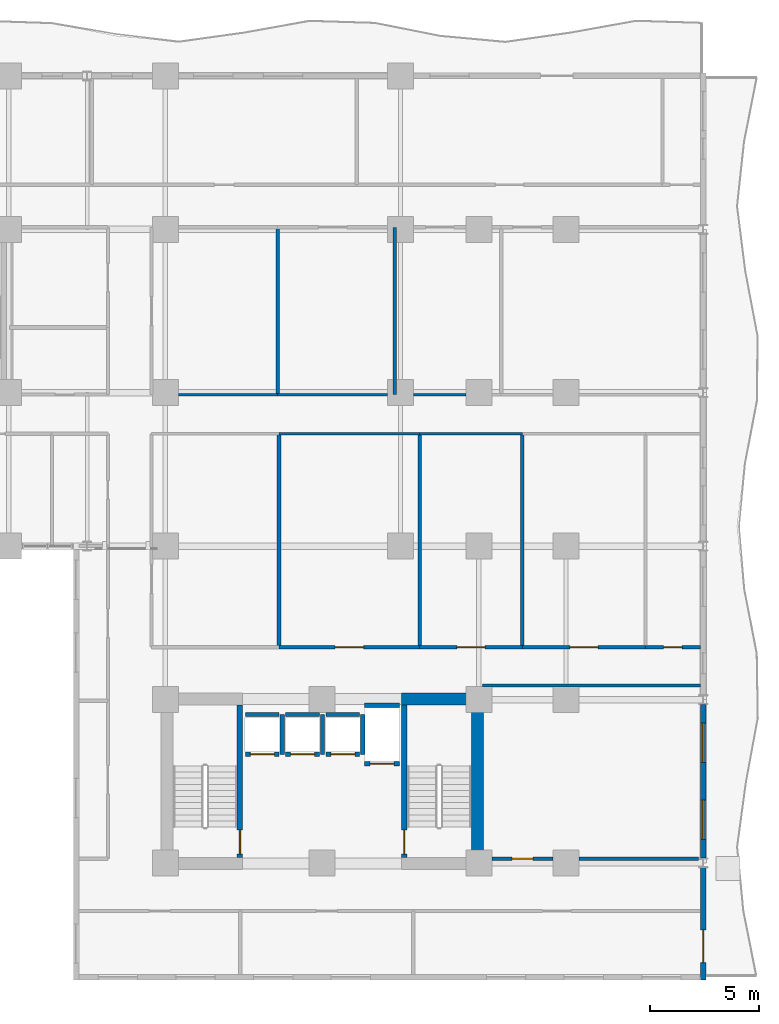
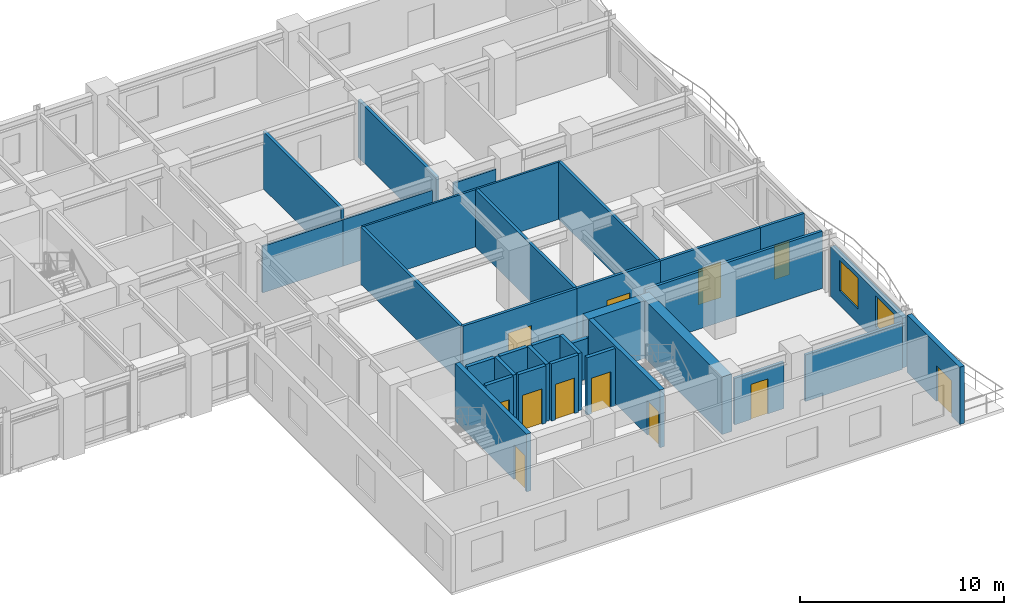
# One storey, part 10 of 16: 34 walls, 12 doors, 2 windows, 14 openings.
"""IFC4 building model written with IfcOpenShell, lengths in metres."""

import ifcopenshell
import ifcopenshell.guid

model = None  # the IFC model being written
_history = None  # IfcOwnerHistory: only IFC2X3 demands one
_inside = {}  # id of a spatial element -> (the spatial element, [elements in it])
_under = {}  # id of a project, library or spatial element -> (it, [spatial elements below it])
_declared = {}  # id of a project -> (the project, [libraries it declares])
_typed = {}  # id of a type object -> (the type object, [elements of that type])
_made_of = {}  # id of a material, layer set ... -> (it, [elements and type objects made of it])


def new_model(schema):
    """Start an empty IFC model of exactly this schema.

    Asked for "IFC4X3", IfcOpenShell would pick the latest addendum, in which some entities
    have other attributes; the version numbers below select the first issue.
    IFC2X3 requires an IfcOwnerHistory on every rooted entity: one is made here for all.
    """
    global model, _history
    if schema == "IFC4X3":
        model = ifcopenshell.file(schema_version=(4, 3, 0, 0))
    else:
        model = ifcopenshell.file(schema=schema)
    _inside.clear()
    _under.clear()
    _declared.clear()
    _typed.clear()
    _made_of.clear()
    _history = None
    if model.schema == "IFC2X3":
        org = make("IfcOrganization", Name="unknown")
        user = make(
            "IfcPersonAndOrganization",
            ThePerson=make("IfcPerson", FamilyName="unknown"),
            TheOrganization=org,
        )
        app = make(
            "IfcApplication",
            ApplicationDeveloper=org,
            Version="unknown",
            ApplicationFullName="unknown",
            ApplicationIdentifier="unknown",
        )
        _history = make(
            "IfcOwnerHistory",
            OwningUser=user,
            OwningApplication=app,
            ChangeAction="ADDED",
            CreationDate=0,
        )
    return model


def make(cls, **values):
    """One entity of the class cls with the attributes given. An attribute that is None is left unset."""
    return model.create_entity(
        cls, **{name: value for name, value in values.items() if value is not None}
    )


def rooted(cls, **values):
    """An entity with a GlobalId (a new one), such as an element, a storey or a relation."""
    return make(cls, GlobalId=ifcopenshell.guid.new(), OwnerHistory=_history, **values)


def si_unit(unit_type, name, prefix=None):
    """IfcSIUnit, for example si_unit("LENGTHUNIT", "METRE", prefix="MILLI")."""
    return make("IfcSIUnit", UnitType=unit_type, Prefix=prefix, Name=name)


def assignment(units):
    """IfcUnitAssignment: the units of a project."""
    return None if units is None else make("IfcUnitAssignment", Units=units)


def point(xyz):
    """IfcCartesianPoint."""
    return None if xyz is None else make("IfcCartesianPoint", Coordinates=xyz)


def direction(xyz):
    """IfcDirection."""
    return None if xyz is None else make("IfcDirection", DirectionRatios=xyz)


def frame(location, z_axis=None, x_axis=None):
    """IfcAxis2Placement3D, a coordinate frame: its origin and axes. An axis left out is left unset."""
    return make(
        "IfcAxis2Placement3D",
        Location=point(location),
        Axis=direction(z_axis),
        RefDirection=direction(x_axis),
    )


def frame_2d(location, x_axis=None):
    """IfcAxis2Placement2D, a coordinate frame in the plane: its origin and x axis."""
    return make(
        "IfcAxis2Placement2D", Location=point(location), RefDirection=direction(x_axis)
    )


def origin():
    """The frame at (0, 0, 0) with its axes left unset."""
    return frame((0.0, 0.0, 0.0))


def place(relative_to, where):
    """IfcLocalPlacement: puts the frame where relative to a parent placement (None: the world)."""
    return make(
        "IfcLocalPlacement", PlacementRelTo=relative_to, RelativePlacement=where
    )


def context(
    kind, dimensions, precision=None, world=None, true_north=None, identifier=None
):
    """IfcGeometricRepresentationContext, for example the 3D "Model" context."""
    return make(
        "IfcGeometricRepresentationContext",
        ContextIdentifier=identifier,
        ContextType=kind,
        CoordinateSpaceDimension=dimensions,
        Precision=precision,
        WorldCoordinateSystem=world,
        TrueNorth=true_north,
    )


def subcontext(parent, identifier, kind, view, scale=None):
    """IfcGeometricRepresentationSubContext, for example "Body" below "Model"."""
    return make(
        "IfcGeometricRepresentationSubContext",
        ContextIdentifier=identifier,
        ContextType=kind,
        ParentContext=parent,
        TargetScale=scale,
        TargetView=view,
    )


def project(units=None, contexts=None):
    """IfcProject with its units and contexts."""
    return rooted(
        "IfcProject",
        Name="project",
        RepresentationContexts=contexts,
        UnitsInContext=assignment(units),
    )


def spatial(cls, under=None, at=None, **own):
    """A site, building, storey or space (cls), placed at a placement, below another one or the project."""
    s = rooted(cls, ObjectPlacement=at, **own)
    if under is not None:
        _under.setdefault(under.id(), (under, []))[1].append(s)
    return s


def profile(cls, at=None, kind="AREA", **sizes):
    """A parametric profile (cls). Its sizes go by their IFC names, for example OverallWidth=200.0."""
    return make(cls, ProfileType=kind, Position=at, **sizes)


def rectangle(**sizes):
    """IfcRectangleProfileDef."""
    return profile("IfcRectangleProfileDef", **sizes)


def extrude(swept, where, along, depth):
    """IfcExtrudedAreaSolid: the profile swept, set in the frame where, extruded along a direction by depth."""
    return make(
        "IfcExtrudedAreaSolid",
        SweptArea=swept,
        Position=where,
        ExtrudedDirection=direction(along),
        Depth=depth,
    )


def shape(context_of_items, identifier, shape_type, items):
    """IfcShapeRepresentation: the items that make up one representation, for example the "Body"."""
    return make(
        "IfcShapeRepresentation",
        ContextOfItems=context_of_items,
        RepresentationIdentifier=identifier,
        RepresentationType=shape_type,
        Items=items,
    )


def material(Name=None, Category=None):
    """IfcMaterial."""
    return make("IfcMaterial", Name=Name, Category=Category)


def layer(
    of_material, thickness, ventilated=None, Name=None, Category=None, Priority=None
):
    """IfcMaterialLayer: one layer of a wall or slab, of a material (None: an air gap)."""
    return make(
        "IfcMaterialLayer",
        Material=of_material,
        LayerThickness=thickness,
        IsVentilated=ventilated,
        Name=Name,
        Category=Category,
        Priority=Priority,
    )


def layer_set(layers, Name=None):
    """IfcMaterialLayerSet."""
    return make("IfcMaterialLayerSet", MaterialLayers=layers, LayerSetName=Name)


def made_of(thing, what):
    """Note that an element or type object is made of a material, layer set ...; save() writes the relation."""
    if what is not None:
        _made_of.setdefault(what.id(), (what, []))[1].append(thing)
    return thing


def type_object(cls, material=None, **own):
    """A type object (cls), such as IfcWallType, which elements share."""
    return made_of(rooted(cls, **own), material)


def element(
    cls,
    number,
    at=None,
    inside=None,
    cuts=None,
    type_object=None,
    material=None,
    context=None,
    identifier="Body",
    shape_type=None,
    held_by="IfcProductDefinitionShape",
    body=None,
    shapes=None,
    **own,
):
    """One element of the class cls, such as IfcWall. Its Tag is "e" and its number.

    at: its placement. inside: the storey or other place that contains it. cuts: it is an
    opening in that element (IfcRelVoidsElement). A single representation is given by context,
    identifier, shape_type and body (its items); several are given by shapes. held_by: the class
    of the entity that holds the representations. save() writes the other relations.
    """
    e = rooted(cls, Tag="e%d" % number, ObjectPlacement=at, **own)
    if body is not None:
        shapes = [shape(context, identifier, shape_type, body)]
    if shapes is not None:
        e.Representation = make(held_by, Representations=shapes)
    if inside is not None:
        _inside.setdefault(inside.id(), (inside, []))[1].append(e)
    if cuts is not None:
        rooted(
            "IfcRelVoidsElement", RelatingBuildingElement=cuts, RelatedOpeningElement=e
        )
    if type_object is not None:
        _typed.setdefault(type_object.id(), (type_object, []))[1].append(e)
    return made_of(e, material)


def fill(opening, filler):
    """IfcRelFillsElement: the door or window that sits in an opening."""
    return rooted(
        "IfcRelFillsElement",
        RelatingOpeningElement=opening,
        RelatedBuildingElement=filler,
    )


def aggregate(whole, parts):
    """IfcRelAggregates: a whole, such as a stair, and the parts it consists of."""
    return rooted("IfcRelAggregates", RelatingObject=whole, RelatedObjects=parts)


def save(model, path):
    """Write the relations noted so far, then the file.

    IfcRelAggregates (storeys below a building ...), IfcRelContainedInSpatialStructure (elements
    in a storey), IfcRelDefinesByType, IfcRelAssociatesMaterial and IfcRelDeclares: one each for
    every whole, place, type object, material and project.
    """
    for whole, parts in _under.values():
        aggregate(whole, parts)
    for where, things in _inside.values():
        rooted(
            "IfcRelContainedInSpatialStructure",
            RelatedElements=things,
            RelatingStructure=where,
        )
    for kind, things in _typed.values():
        rooted("IfcRelDefinesByType", RelatedObjects=things, RelatingType=kind)
    for what, things in _made_of.values():
        rooted("IfcRelAssociatesMaterial", RelatedObjects=things, RelatingMaterial=what)
    for by, libraries in _declared.values():
        rooted("IfcRelDeclares", RelatingContext=by, RelatedDefinitions=libraries)
    model.write(path)


model = new_model("IFC4")

# Units and contexts
model_context = context("Model", 3, precision=1e-05, world=origin(), true_north=direction((0.0, 1.0)))
body_context = subcontext(model_context, "Body", "Model", "MODEL_VIEW")
ifc_project = project(units=[si_unit("LENGTHUNIT", "METRE"), si_unit("AREAUNIT", "SQUARE_METRE"), si_unit("VOLUMEUNIT", "CUBIC_METRE"), si_unit("PLANEANGLEUNIT", "RADIAN"), si_unit("MASSUNIT", "GRAM", prefix="KILO")], contexts=[model_context])

# Site, building, storey
site_placement = place(None, origin())
site = spatial("IfcSite", under=ifc_project, at=site_placement, CompositionType="ELEMENT")
building_placement = place(site_placement, origin())
building = spatial("IfcBuilding", under=site, at=building_placement, Name="Kaliganga Portal Commons", CompositionType="ELEMENT")
storey_placement = place(building_placement, frame((0.0, 0.0, 97.10009765625)))
storey = spatial("IfcBuildingStorey", under=building, at=storey_placement, Name="L24", CompositionType="ELEMENT", Elevation=97.10009765625)

# Walls
ifc_material_1 = material(Name="Concrete C60/75", Category="concrete")
ifc_layer_1 = layer(ifc_material_1, 0.550048828125)
ifc_layer_set_1 = layer_set([ifc_layer_1], Name="Concrete C60/75")
wall_type_1 = type_object("IfcWallType", Name="WL-CORE-550", PredefinedType="SHEAR", material=ifc_layer_set_1)
wall_1_placement = place(storey_placement, frame((50.324951171875, 6.75, 0.0), z_axis=(0.0, 0.0, 1.0), x_axis=(0.0, 1.0, 0.0)))
element("IfcWall", 1, at=wall_1_placement, inside=storey, type_object=wall_type_1, Name="Core B East Shear Wall L24", PredefinedType="SHEAR", context=body_context, shape_type="SweptSolid", body=[
    extrude(rectangle(XDim=8.10009765625, YDim=0.550048828125, at=frame_2d((4.050048828125, 0.0))), origin(), (0.0, 0.0, 1.0), 3.449951171875),
])
wall_2_placement = place(storey_placement, frame((46.85009765625, 14.574951171875, 0.0), z_axis=(0.0, 0.0, 1.0), x_axis=(1.0, 0.0, 0.0)))
element("IfcWall", 2, at=wall_2_placement, inside=storey, type_object=wall_type_1, Name="Core B N-East Shear Wall L24", PredefinedType="SHEAR", context=body_context, shape_type="SweptSolid", body=[
    extrude(rectangle(XDim=3.199951171875, YDim=0.550048828125, at=frame_2d((1.60009765625, 0.0))), origin(), (0.0, 0.0, 1.0), 3.449951171875),
])

# Wall, opening, door
ifc_material_2 = material(Name="Insulated Aluminium-Clad Spandrel Assembly", Category="aluminium")
ifc_layer_2 = layer(ifc_material_2, 0.260009765625)
ifc_layer_set_2 = layer_set([ifc_layer_2], Name="Insulated Aluminium-Clad Spandrel Assembly")
wall_type_2 = type_object("IfcWallType", Name="WL-EXT-SPAND-260", PredefinedType="STANDARD", material=ifc_layer_set_2)
wall_3_placement = place(storey_placement, frame((60.699951171875, 6.833984375, 0.0), z_axis=(0.0, 0.0, 1.0), x_axis=(0.0, -1.0, 0.0)))
wall_3 = element("IfcWall", 3, at=wall_3_placement, inside=storey, type_object=wall_type_2, Name="Exterior Envelope Wall L24 P1-E01-S1", PredefinedType="STANDARD", context=body_context, shape_type="SweptSolid", body=[
    extrude(rectangle(XDim=5.1640625, YDim=0.260009765625, at=frame_2d((2.58203125, 0.0))), origin(), (0.0, 0.0, 1.0), 3.429931640625),
])
opening_1_placement = place(wall_3_placement, frame((2.864990234375, 0.0, 0.0)))
opening_1 = element("IfcOpeningElement", 4, at=opening_1_placement, cuts=wall_3, Name="Opening BD-01", PredefinedType="OPENING", context=body_context, shape_type="SweptSolid", body=[
    extrude(rectangle(XDim=1.5, YDim=2.14990234375, at=frame_2d((0.75, 1.074951171875))), frame((0.0, 0.14013671875, 0.0), z_axis=(0.0, -1.0, 0.0), x_axis=(1.0, 0.0, 0.0)), (0.0, 0.0, 1.0), 0.280029296875),
])
ifc_material_3 = material(Name="Anodized Aluminium and Laminated Safety Glass", Category="aluminium")
door_type_1 = type_object("IfcDoorType", Name="DR-BALC-1500", OperationType="SLIDING_TO_LEFT", PredefinedType="DOOR", material=ifc_material_3)
door_1_placement = place(opening_1_placement, origin())
door_1 = element("IfcDoor", 5, at=door_1_placement, inside=storey, type_object=door_type_1, Name="Balcony Sliding Door L24 balc_east", OperationType="SLIDING_TO_LEFT", OverallHeight=2.14990234375, OverallWidth=1.5, PredefinedType="DOOR", context=body_context, shape_type="SweptSolid", body=[
    extrude(rectangle(XDim=1.5, YDim=2.14990234375, at=frame_2d((0.75, 1.074951171875))), frame((0.0, 0.02490234375, 0.0), z_axis=(0.0, -1.0, 0.0), x_axis=(1.0, 0.0, 0.0)), (0.0, 0.0, 1.0), 0.050048828125),
])
fill(opening_1, door_1)

# Wall, openings, windows
wall_4_placement = place(storey_placement, frame((60.699951171875, 14.333984375, 0.0), z_axis=(0.0, 0.0, 1.0), x_axis=(0.0, -1.0, 0.0)))
wall_4 = element("IfcWall", 6, at=wall_4_placement, inside=storey, type_object=wall_type_2, Name="Exterior Envelope Wall L24 P1-E01-S2", PredefinedType="STANDARD", context=body_context, shape_type="SweptSolid", body=[
    extrude(rectangle(XDim=7.06787109375, YDim=0.260009765625, at=frame_2d((3.533935546875, 0.0))), origin(), (0.0, 0.0, 1.0), 2.97998046875),
])
opening_2_placement = place(wall_4_placement, frame((0.866943359375, 0.0, 0.85009765625)))
opening_2 = element("IfcOpeningElement", 7, at=opening_2_placement, cuts=wall_4, Name="Opening W-01", PredefinedType="OPENING", context=body_context, shape_type="SweptSolid", body=[
    extrude(rectangle(XDim=1.800048828125, YDim=1.85009765625, at=frame_2d((0.89990234375, 0.925048828125))), frame((0.0, 0.14013671875, 0.0), z_axis=(0.0, -1.0, 0.0), x_axis=(1.0, 0.0, 0.0)), (0.0, 0.0, 1.0), 0.280029296875),
])
opening_3_placement = place(wall_4_placement, frame((4.40087890625, 0.0, 0.85009765625)))
opening_3 = element("IfcOpeningElement", 8, at=opening_3_placement, cuts=wall_4, Name="Opening W-01", PredefinedType="OPENING", context=body_context, shape_type="SweptSolid", body=[
    extrude(rectangle(XDim=1.800048828125, YDim=1.85009765625, at=frame_2d((0.89990234375, 0.925048828125))), frame((0.0, 0.14013671875, 0.0), z_axis=(0.0, -1.0, 0.0), x_axis=(1.0, 0.0, 0.0)), (0.0, 0.0, 1.0), 0.280029296875),
])
ifc_material_4 = material(Name="Thermally Broken Aluminium and Low-E Double Glazing", Category="aluminium")
window_type = type_object("IfcWindowType", Name="WIN-STD-1800", PartitioningType="DOUBLE_PANEL_VERTICAL", PredefinedType="WINDOW", material=ifc_material_4)
window_1_placement = place(opening_2_placement, origin())
window_1 = element("IfcWindow", 9, at=window_1_placement, inside=storey, type_object=window_type, Name="Facade Window L24-P1E01S2-00", OverallHeight=1.85009765625, OverallWidth=1.800048828125, PartitioningType="SINGLE_PANEL", PredefinedType="WINDOW", context=body_context, shape_type="SweptSolid", body=[
    extrude(rectangle(XDim=1.800048828125, YDim=1.85009765625, at=frame_2d((0.89990234375, 0.925048828125))), frame((0.0, 0.030029296875, 0.0), z_axis=(0.0, -1.0, 0.0), x_axis=(1.0, 0.0, 0.0)), (0.0, 0.0, 1.0), 0.06005859375),
])
fill(opening_2, window_1)
window_2_placement = place(opening_3_placement, origin())
window_2 = element("IfcWindow", 10, at=window_2_placement, inside=storey, type_object=window_type, Name="Facade Window L24-P1E01S2-01", OverallHeight=1.85009765625, OverallWidth=1.800048828125, PartitioningType="SINGLE_PANEL", PredefinedType="WINDOW", context=body_context, shape_type="SweptSolid", body=[
    extrude(rectangle(XDim=1.800048828125, YDim=1.85009765625, at=frame_2d((0.89990234375, 0.925048828125))), frame((0.0, 0.030029296875, 0.0), z_axis=(0.0, -1.0, 0.0), x_axis=(1.0, 0.0, 0.0)), (0.0, 0.0, 1.0), 0.06005859375),
])
fill(opening_3, window_2)

# Wall, opening, door
ifc_material_5 = material(Name="Fire-Rated Gypsum Board on Steel Stud", Category="steel")
ifc_layer_3 = layer(ifc_material_5, 0.14990234375)
ifc_layer_set_3 = layer_set([ifc_layer_3], Name="Fire-Rated Gypsum Board on Steel Stud")
wall_type_3 = type_object("IfcWallType", Name="WL-PART-CORR-150", PredefinedType="PARTITIONING", material=ifc_layer_set_3)
wall_5_placement = place(storey_placement, frame((51.0, 7.239990234375, 0.0), z_axis=(0.0, 0.0, 1.0), x_axis=(1.0, 0.0, 0.0)))
wall_5 = element("IfcWall", 11, at=wall_5_placement, inside=storey, type_object=wall_type_3, Name="Interior Partition L24-010", PredefinedType="PARTITIONING", context=body_context, shape_type="SweptSolid", body=[
    extrude(rectangle(XDim=2.800048828125, YDim=0.14990234375, at=frame_2d((1.39990234375, 0.0))), origin(), (0.0, 0.0, 1.0), 2.77978515625),
])
opening_4_placement = place(wall_5_placement, frame((0.925048828125, 0.0, 0.0)))
opening_4 = element("IfcOpeningElement", 12, at=opening_4_placement, cuts=wall_5, Name="Opening UD-01", PredefinedType="OPENING", context=body_context, shape_type="SweptSolid", body=[
    extrude(rectangle(XDim=0.949951171875, YDim=2.10009765625, at=frame_2d((0.47509765625, 1.050048828125))), frame((0.0, 0.0849609375, 0.0), z_axis=(0.0, -1.0, 0.0), x_axis=(1.0, 0.0, 0.0)), (0.0, 0.0, 1.0), 0.169921875),
])
ifc_material_6 = material(Name="Solid-Core Timber Acoustic Fire Door", Category="wood")
door_type_2 = type_object("IfcDoorType", Name="DR-UNIT-950", OperationType="NOTDEFINED", PredefinedType="DOOR", material=ifc_material_6)
door_2_placement = place(opening_4_placement, origin())
door_2 = element("IfcDoor", 13, at=door_2_placement, inside=storey, type_object=door_type_2, Name="Interior Door L24-BE01", OperationType="SINGLE_SWING_LEFT", OverallHeight=2.10009765625, OverallWidth=0.949951171875, PredefinedType="DOOR", context=body_context, shape_type="SweptSolid", body=[
    extrude(rectangle(XDim=0.949951171875, YDim=2.10009765625, at=frame_2d((0.47509765625, 1.050048828125))), frame((0.0, 0.02490234375, 0.0), z_axis=(0.0, -1.0, 0.0), x_axis=(1.0, 0.0, 0.0)), (0.0, 0.0, 1.0), 0.050048828125),
])
fill(opening_4, door_2)

# Walls
wall_6_placement = place(storey_placement, frame((55.0, 7.239990234375, 0.0), z_axis=(0.0, 0.0, 1.0), x_axis=(1.0, 0.0, 0.0)))
element("IfcWall", 14, at=wall_6_placement, inside=storey, type_object=wall_type_3, Name="Interior Partition L24-011", PredefinedType="PARTITIONING", context=body_context, shape_type="SweptSolid", body=[
    extrude(rectangle(XDim=5.49560546875, YDim=0.14990234375, at=frame_2d((2.747802734375, 0.0))), origin(), (0.0, 0.0, 1.0), 2.77978515625),
])
wall_7_placement = place(storey_placement, frame((50.56005859375, 15.199951171875, 0.0), z_axis=(0.0, 0.0, 1.0), x_axis=(1.0, 0.0, 0.0)))
element("IfcWall", 15, at=wall_7_placement, inside=storey, type_object=wall_type_3, Name="Interior Partition L24-012", PredefinedType="PARTITIONING", context=body_context, shape_type="SweptSolid", body=[
    extrude(rectangle(XDim=10.008056640625, YDim=0.14990234375, at=frame_2d((5.00390625, 0.0))), origin(), (0.0, 0.0, 1.0), 3.429931640625),
])

# Wall, opening, door
wall_8_placement = place(storey_placement, frame((41.219970703125, 16.9599609375, 0.0), z_axis=(0.0, 0.0, 1.0), x_axis=(1.0, 0.0, 0.0)))
wall_8 = element("IfcWall", 16, at=wall_8_placement, inside=storey, type_object=wall_type_3, Name="Interior Partition L24-024", PredefinedType="PARTITIONING", context=body_context, shape_type="SweptSolid", body=[
    extrude(rectangle(XDim=6.4599609375, YDim=0.14990234375, at=frame_2d((3.22998046875, 0.0))), origin(), (0.0, 0.0, 1.0), 3.429931640625),
])
opening_5_placement = place(wall_8_placement, frame((2.580078125, 0.0, 0.0)))
opening_5 = element("IfcOpeningElement", 17, at=opening_5_placement, cuts=wall_8, Name="Opening RD-03", PredefinedType="OPENING", context=body_context, shape_type="SweptSolid", body=[
    extrude(rectangle(XDim=1.300048828125, YDim=2.1201171875, at=frame_2d((0.64990234375, 1.06005859375))), frame((0.0, 0.0849609375, 0.0), z_axis=(0.0, -1.0, 0.0), x_axis=(1.0, 0.0, 0.0)), (0.0, 0.0, 1.0), 0.169921875),
])
ifc_material_7 = material(Name="Glazed Timber Seminar Vision Door", Category="wood")
door_type_3 = type_object("IfcDoorType", Name="DR-STUDY-1300", OperationType="DOUBLE_DOOR_SINGLE_SWING", PredefinedType="DOOR", material=ifc_material_7)
door_3_placement = place(opening_5_placement, origin())
door_3 = element("IfcDoor", 18, at=door_3_placement, inside=storey, type_object=door_type_3, Name="Interior Door L24-BM02", OperationType="DOUBLE_DOOR_SINGLE_SWING", OverallHeight=2.1201171875, OverallWidth=1.300048828125, PredefinedType="DOOR", context=body_context, shape_type="SweptSolid", body=[
    extrude(rectangle(XDim=1.300048828125, YDim=2.1201171875, at=frame_2d((0.64990234375, 1.06005859375))), frame((0.0, 0.02490234375, 0.0), z_axis=(0.0, -1.0, 0.0), x_axis=(1.0, 0.0, 0.0)), (0.0, 0.0, 1.0), 0.050048828125),
])
fill(opening_5, door_3)

wall_9_placement = place(storey_placement, frame((52.39990234375, 16.9599609375, 0.0), z_axis=(0.0, 0.0, 1.0), x_axis=(1.0, 0.0, 0.0)))
wall_9 = element("IfcWall", 19, at=wall_9_placement, inside=storey, type_object=wall_type_3, Name="Interior Partition L24-029", PredefinedType="PARTITIONING", context=body_context, shape_type="SweptSolid", body=[
    extrude(rectangle(XDim=5.66015625, YDim=0.14990234375, at=frame_2d((2.830078125, 0.0))), origin(), (0.0, 0.0, 1.0), 3.429931640625),
])
opening_6_placement = place(wall_9_placement, frame((2.179931640625, 0.0, 0.0)))
opening_6 = element("IfcOpeningElement", 20, at=opening_6_placement, cuts=wall_9, Name="Opening RD-03", PredefinedType="OPENING", context=body_context, shape_type="SweptSolid", body=[
    extrude(rectangle(XDim=1.300048828125, YDim=2.1201171875, at=frame_2d((0.64990234375, 1.06005859375))), frame((0.0, 0.0849609375, 0.0), z_axis=(0.0, -1.0, 0.0), x_axis=(1.0, 0.0, 0.0)), (0.0, 0.0, 1.0), 0.169921875),
])
door_4_placement = place(opening_6_placement, origin())
door_4 = element("IfcDoor", 21, at=door_4_placement, inside=storey, type_object=door_type_3, Name="Interior Door L24-BM03B", OperationType="DOUBLE_DOOR_SINGLE_SWING", OverallHeight=2.1201171875, OverallWidth=1.300048828125, PredefinedType="DOOR", context=body_context, shape_type="SweptSolid", body=[
    extrude(rectangle(XDim=1.300048828125, YDim=2.1201171875, at=frame_2d((0.64990234375, 1.06005859375))), frame((0.0, 0.02490234375, 0.0), z_axis=(0.0, -1.0, 0.0), x_axis=(1.0, 0.0, 0.0)), (0.0, 0.0, 1.0), 0.050048828125),
])
fill(opening_6, door_4)

wall_10_placement = place(storey_placement, frame((47.679931640625, 16.9599609375, 0.0), z_axis=(0.0, 0.0, 1.0), x_axis=(1.0, 0.0, 0.0)))
wall_10 = element("IfcWall", 22, at=wall_10_placement, inside=storey, type_object=wall_type_3, Name="Interior Partition L24-035", PredefinedType="PARTITIONING", context=body_context, shape_type="SweptSolid", body=[
    extrude(rectangle(XDim=4.719970703125, YDim=0.14990234375, at=frame_2d((2.35986328125, 0.0))), origin(), (0.0, 0.0, 1.0), 3.429931640625),
])
opening_7_placement = place(wall_10_placement, frame((1.7099609375, 0.0, 0.0)))
opening_7 = element("IfcOpeningElement", 23, at=opening_7_placement, cuts=wall_10, Name="Opening RD-03", PredefinedType="OPENING", context=body_context, shape_type="SweptSolid", body=[
    extrude(rectangle(XDim=1.300048828125, YDim=2.1201171875, at=frame_2d((0.64990234375, 1.06005859375))), frame((0.0, 0.0849609375, 0.0), z_axis=(0.0, -1.0, 0.0), x_axis=(1.0, 0.0, 0.0)), (0.0, 0.0, 1.0), 0.169921875),
])
door_5_placement = place(opening_7_placement, origin())
door_5 = element("IfcDoor", 24, at=door_5_placement, inside=storey, type_object=door_type_3, Name="Interior Door L24-BM03", OperationType="DOUBLE_DOOR_SINGLE_SWING", OverallHeight=2.1201171875, OverallWidth=1.300048828125, PredefinedType="DOOR", context=body_context, shape_type="SweptSolid", body=[
    extrude(rectangle(XDim=1.300048828125, YDim=2.1201171875, at=frame_2d((0.64990234375, 1.06005859375))), frame((0.0, 0.02490234375, 0.0), z_axis=(0.0, -1.0, 0.0), x_axis=(1.0, 0.0, 0.0)), (0.0, 0.0, 1.0), 0.050048828125),
])
fill(opening_7, door_5)

wall_11_placement = place(storey_placement, frame((58.06005859375, 16.9599609375, 0.0), z_axis=(0.0, 0.0, 1.0), x_axis=(1.0, 0.0, 0.0)))
wall_11 = element("IfcWall", 25, at=wall_11_placement, inside=storey, type_object=wall_type_3, Name="Interior Partition L24-042", PredefinedType="PARTITIONING", context=body_context, shape_type="SweptSolid", body=[
    extrude(rectangle(XDim=2.508056640625, YDim=0.14990234375, at=frame_2d((1.25390625, 0.0))), origin(), (0.0, 0.0, 1.0), 3.429931640625),
])
opening_8_placement = place(wall_11_placement, frame((0.8291015625, 0.0, 0.0)))
opening_8 = element("IfcOpeningElement", 26, at=opening_8_placement, cuts=wall_11, Name="Opening WD-01", PredefinedType="OPENING", context=body_context, shape_type="SweptSolid", body=[
    extrude(rectangle(XDim=0.85009765625, YDim=2.0400390625, at=frame_2d((0.425048828125, 1.02001953125))), frame((0.0, 0.0849609375, 0.0), z_axis=(0.0, -1.0, 0.0), x_axis=(1.0, 0.0, 0.0)), (0.0, 0.0, 1.0), 0.169921875),
])
ifc_material_8 = material(Name="Moisture-Resistant Laminate Timber Door", Category="wood")
door_type_4 = type_object("IfcDoorType", Name="DR-WET-850", OperationType="NOTDEFINED", PredefinedType="DOOR", material=ifc_material_8)
door_6_placement = place(opening_8_placement, origin())
door_6 = element("IfcDoor", 27, at=door_6_placement, inside=storey, type_object=door_type_4, Name="Interior Door L24-BM04", OperationType="SINGLE_SWING_RIGHT", OverallHeight=2.0400390625, OverallWidth=0.85009765625, PredefinedType="DOOR", context=body_context, shape_type="SweptSolid", body=[
    extrude(rectangle(XDim=0.85009765625, YDim=2.0400390625, at=frame_2d((0.425048828125, 1.02001953125))), frame((0.0, 0.02490234375, 0.0), z_axis=(0.0, -1.0, 0.0), x_axis=(1.0, 0.0, 0.0)), (0.0, 0.0, 1.0), 0.050048828125),
])
fill(opening_8, door_6)

# Walls
ifc_material_9 = material(Name="Moisture-Resistant Gypsum Partition", Category="gypsum")
ifc_layer_4 = layer(ifc_material_9, 0.114990234375)
ifc_layer_set_4 = layer_set([ifc_layer_4], Name="Moisture-Resistant Gypsum Partition")
wall_type_4 = type_object("IfcWallType", Name="WL-PART-ROOM-115", PredefinedType="PARTITIONING", material=ifc_layer_set_4)
wall_12_placement = place(storey_placement, frame((41.219970703125, 26.760009765625, 0.0), z_axis=(0.0, 0.0, 1.0), x_axis=(1.0, 0.0, 0.0)))
element("IfcWall", 28, at=wall_12_placement, inside=storey, type_object=wall_type_4, Name="Interior Partition L24-057", PredefinedType="PARTITIONING", context=body_context, shape_type="SweptSolid", body=[
    extrude(rectangle(XDim=6.4599609375, YDim=0.114990234375, at=frame_2d((3.22998046875, 0.0))), origin(), (0.0, 0.0, 1.0), 3.429931640625),
])
wall_13_placement = place(storey_placement, frame((36.60009765625, 28.56005859375, 0.0), z_axis=(0.0, 0.0, 1.0), x_axis=(1.0, 0.0, 0.0)))
element("IfcWall", 29, at=wall_13_placement, inside=storey, type_object=wall_type_4, Name="Interior Partition L24-059", PredefinedType="PARTITIONING", context=body_context, shape_type="SweptSolid", body=[
    extrude(rectangle(XDim=4.559814453125, YDim=0.114990234375, at=frame_2d((2.27978515625, 0.0))), origin(), (0.0, 0.0, 1.0), 2.77978515625),
])
wall_14_placement = place(storey_placement, frame((41.159912109375, 28.56005859375, 0.0), z_axis=(0.0, 0.0, 1.0), x_axis=(1.0, 0.0, 0.0)))
element("IfcWall", 30, at=wall_14_placement, inside=storey, type_object=wall_type_4, Name="Interior Partition L24-061", PredefinedType="PARTITIONING", context=body_context, shape_type="SweptSolid", body=[
    extrude(rectangle(XDim=5.0400390625, YDim=0.114990234375, at=frame_2d((2.52001953125, 0.0))), origin(), (0.0, 0.0, 1.0), 2.77978515625),
])
wall_15_placement = place(storey_placement, frame((47.39990234375, 28.56005859375, 0.0), z_axis=(0.0, 0.0, 1.0), x_axis=(1.0, 0.0, 0.0)))
element("IfcWall", 31, at=wall_15_placement, inside=storey, type_object=wall_type_4, Name="Interior Partition L24-070", PredefinedType="PARTITIONING", context=body_context, shape_type="SweptSolid", body=[
    extrude(rectangle(XDim=2.400146484375, YDim=0.114990234375, at=frame_2d((1.2001953125, 0.0))), origin(), (0.0, 0.0, 1.0), 2.77978515625),
])
wall_16_placement = place(storey_placement, frame((47.679931640625, 26.760009765625, 0.0), z_axis=(0.0, 0.0, 1.0), x_axis=(1.0, 0.0, 0.0)))
element("IfcWall", 32, at=wall_16_placement, inside=storey, type_object=wall_type_4, Name="Interior Partition L24-072", PredefinedType="PARTITIONING", context=body_context, shape_type="SweptSolid", body=[
    extrude(rectangle(XDim=4.719970703125, YDim=0.114990234375, at=frame_2d((2.35986328125, 0.0))), origin(), (0.0, 0.0, 1.0), 3.429931640625),
])
ifc_material_10 = material(Name="Twin-Stud Acoustic Gypsum Partition", Category="gypsum")
ifc_layer_5 = layer(ifc_material_10, 0.1650390625)
ifc_layer_set_5 = layer_set([ifc_layer_5], Name="Twin-Stud Acoustic Gypsum Partition")
wall_type_5 = type_object("IfcWallType", Name="WL-PART-UNIT-165", PredefinedType="PARTITIONING", material=ifc_layer_set_5)
for number, where, z_axis, x_axis, name in (
    (33, (41.219970703125, 16.9599609375, 0.0), (0.0, 0.0, 1.0), (0.0, 1.0, 0.0), "Interior Partition L24-048"),
    (34, (47.679931640625, 16.9599609375, 0.0), (0.0, 0.0, 1.0), (0.0, 1.0, 0.0), "Interior Partition L24-049"),
    (35, (52.39990234375, 16.9599609375, 0.0), (0.0, 0.0, 1.0), (0.0, 1.0, 0.0), "Interior Partition L24-050"),
):
    element("IfcWall", number, at=place(storey_placement, frame(where, z_axis=z_axis, x_axis=x_axis)), inside=storey, type_object=wall_type_5, Name=name, PredefinedType="PARTITIONING", context=body_context, shape_type="SweptSolid", body=[
        extrude(rectangle(XDim=9.800048828125, YDim=0.1650390625, at=frame_2d((4.89990234375, 0.0))), origin(), (0.0, 0.0, 1.0), 3.429931640625),
    ])
for number, where, z_axis, x_axis, name in (
    (36, (41.159912109375, 28.56005859375, 0.0), (0.0, 0.0, 1.0), (0.0, 1.0, 0.0), "Interior Partition L24-054"),
    (37, (46.5400390625, 28.56005859375, 0.0), (0.0, 0.0, 1.0), (0.0, 1.0, 0.0), "Interior Partition L24-055"),
):
    element("IfcWall", number, at=place(storey_placement, frame(where, z_axis=z_axis, x_axis=x_axis)), inside=storey, type_object=wall_type_5, Name=name, PredefinedType="PARTITIONING", context=body_context, shape_type="SweptSolid", body=[
        extrude(rectangle(XDim=7.679931640625, YDim=0.1650390625, at=frame_2d((3.83984375, 0.0))), origin(), (0.0, 0.0, 1.0), 3.429931640625),
    ])

# Wall, opening, door
ifc_material_11 = material(Name="Fire-Rated Shaftwall Masonry Assembly", Category="masonry")
ifc_layer_6 = layer(ifc_material_11, 0.199951171875)
ifc_layer_set_6 = layer_set([ifc_layer_6], Name="Fire-Rated Shaftwall Masonry Assembly")
wall_type_6 = type_object("IfcWallType", Name="WL-SHAFT-200", PredefinedType="PARTITIONING", material=ifc_layer_set_6)
wall_17_placement = place(storey_placement, frame((39.675048828125, 12.034912109375, 0.0), z_axis=(0.0, 0.0, 1.0), x_axis=(1.0, 0.0, 0.0)))
wall_17 = element("IfcWall", 38, at=wall_17_placement, inside=storey, type_object=wall_type_6, Name="Lift PL-B1 Hoistway Shaft Wall L24-S", PredefinedType="PARTITIONING", context=body_context, shape_type="SweptSolid", body=[
    extrude(rectangle(XDim=1.550048828125, YDim=0.199951171875, at=frame_2d((0.77490234375, 0.0))), origin(), (0.0, 0.0, 1.0), 3.429931640625),
])
opening_9_placement = place(wall_17_placement, frame((0.22509765625, 0.0, 0.0)))
opening_9 = element("IfcOpeningElement", 39, at=opening_9_placement, cuts=wall_17, Name="Opening LD-01", PredefinedType="OPENING", context=body_context, shape_type="SweptSolid", body=[
    extrude(rectangle(XDim=1.10009765625, YDim=2.1201171875, at=frame_2d((0.550048828125, 1.06005859375))), frame((0.0, 0.10986328125, 0.0), z_axis=(0.0, -1.0, 0.0), x_axis=(1.0, 0.0, 0.0)), (0.0, 0.0, 1.0), 0.219970703125),
])
ifc_material_12 = material(Name="Brushed Stainless Steel 316 Lift Landing Door", Category="steel")
door_type_5 = type_object("IfcDoorType", Name="DR-LIFT-1100", OperationType="SLIDING_TO_LEFT", PredefinedType="DOOR", material=ifc_material_12)
door_7_placement = place(opening_9_placement, origin())
door_7 = element("IfcDoor", 40, at=door_7_placement, inside=storey, type_object=door_type_5, Name="Lift PL-B1 Sliding Landing Door L24", OperationType="SLIDING_TO_LEFT", OverallHeight=2.1201171875, OverallWidth=1.10009765625, PredefinedType="DOOR", context=body_context, shape_type="SweptSolid", body=[
    extrude(rectangle(XDim=1.10009765625, YDim=2.1201171875, at=frame_2d((0.550048828125, 1.06005859375))), frame((0.0, 0.02490234375, 0.0), z_axis=(0.0, -1.0, 0.0), x_axis=(1.0, 0.0, 0.0)), (0.0, 0.0, 1.0), 0.050048828125),
])
fill(opening_9, door_7)

# Walls
wall_18_placement = place(storey_placement, frame((39.675048828125, 13.864990234375, 0.0), z_axis=(0.0, 0.0, 1.0), x_axis=(1.0, 0.0, 0.0)))
element("IfcWall", 41, at=wall_18_placement, inside=storey, type_object=wall_type_6, Name="Lift PL-B1 Hoistway Shaft Wall L24-N", PredefinedType="PARTITIONING", context=body_context, shape_type="SweptSolid", body=[
    extrude(rectangle(XDim=1.550048828125, YDim=0.199951171875, at=frame_2d((0.77490234375, 0.0))), origin(), (0.0, 0.0, 1.0), 3.429931640625),
])
wall_19_placement = place(storey_placement, frame((41.364990234375, 12.034912109375, 0.0), z_axis=(0.0, 0.0, 1.0), x_axis=(0.0, 1.0, 0.0)))
element("IfcWall", 42, at=wall_19_placement, inside=storey, type_object=wall_type_6, Name="Lift PL-B1 Hoistway Shaft Wall L24-E", PredefinedType="PARTITIONING", context=body_context, shape_type="SweptSolid", body=[
    extrude(rectangle(XDim=1.830078125, YDim=0.199951171875, at=frame_2d((0.9150390625, 0.0))), origin(), (0.0, 0.0, 1.0), 3.429931640625),
])

# Wall, opening, door
wall_20_placement = place(storey_placement, frame((41.52490234375, 12.034912109375, 0.0), z_axis=(0.0, 0.0, 1.0), x_axis=(1.0, 0.0, 0.0)))
wall_20 = element("IfcWall", 43, at=wall_20_placement, inside=storey, type_object=wall_type_6, Name="Lift PL-B2 Hoistway Shaft Wall L24-S", PredefinedType="PARTITIONING", context=body_context, shape_type="SweptSolid", body=[
    extrude(rectangle(XDim=1.550048828125, YDim=0.199951171875, at=frame_2d((0.77490234375, 0.0))), origin(), (0.0, 0.0, 1.0), 3.429931640625),
])
opening_10_placement = place(wall_20_placement, frame((0.22509765625, 0.0, 0.0)))
opening_10 = element("IfcOpeningElement", 44, at=opening_10_placement, cuts=wall_20, Name="Opening LD-01", PredefinedType="OPENING", context=body_context, shape_type="SweptSolid", body=[
    extrude(rectangle(XDim=1.10009765625, YDim=2.1201171875, at=frame_2d((0.550048828125, 1.06005859375))), frame((0.0, 0.10986328125, 0.0), z_axis=(0.0, -1.0, 0.0), x_axis=(1.0, 0.0, 0.0)), (0.0, 0.0, 1.0), 0.219970703125),
])
door_8_placement = place(opening_10_placement, origin())
door_8 = element("IfcDoor", 45, at=door_8_placement, inside=storey, type_object=door_type_5, Name="Lift PL-B2 Sliding Landing Door L24", OperationType="SLIDING_TO_LEFT", OverallHeight=2.1201171875, OverallWidth=1.10009765625, PredefinedType="DOOR", context=body_context, shape_type="SweptSolid", body=[
    extrude(rectangle(XDim=1.10009765625, YDim=2.1201171875, at=frame_2d((0.550048828125, 1.06005859375))), frame((0.0, 0.02490234375, 0.0), z_axis=(0.0, -1.0, 0.0), x_axis=(1.0, 0.0, 0.0)), (0.0, 0.0, 1.0), 0.050048828125),
])
fill(opening_10, door_8)

# Walls
wall_21_placement = place(storey_placement, frame((41.52490234375, 13.864990234375, 0.0), z_axis=(0.0, 0.0, 1.0), x_axis=(1.0, 0.0, 0.0)))
element("IfcWall", 46, at=wall_21_placement, inside=storey, type_object=wall_type_6, Name="Lift PL-B2 Hoistway Shaft Wall L24-N", PredefinedType="PARTITIONING", context=body_context, shape_type="SweptSolid", body=[
    extrude(rectangle(XDim=1.550048828125, YDim=0.199951171875, at=frame_2d((0.77490234375, 0.0))), origin(), (0.0, 0.0, 1.0), 3.429931640625),
])
wall_22_placement = place(storey_placement, frame((43.215087890625, 12.034912109375, 0.0), z_axis=(0.0, 0.0, 1.0), x_axis=(0.0, 1.0, 0.0)))
element("IfcWall", 47, at=wall_22_placement, inside=storey, type_object=wall_type_6, Name="Lift PL-B2 Hoistway Shaft Wall L24-E", PredefinedType="PARTITIONING", context=body_context, shape_type="SweptSolid", body=[
    extrude(rectangle(XDim=1.830078125, YDim=0.199951171875, at=frame_2d((0.9150390625, 0.0))), origin(), (0.0, 0.0, 1.0), 3.429931640625),
])

# Wall, opening, door
wall_23_placement = place(storey_placement, frame((43.375, 12.034912109375, 0.0), z_axis=(0.0, 0.0, 1.0), x_axis=(1.0, 0.0, 0.0)))
wall_23 = element("IfcWall", 48, at=wall_23_placement, inside=storey, type_object=wall_type_6, Name="Lift SH-2 Hoistway Shaft Wall L24-S", PredefinedType="PARTITIONING", context=body_context, shape_type="SweptSolid", body=[
    extrude(rectangle(XDim=1.550048828125, YDim=0.199951171875, at=frame_2d((0.77490234375, 0.0))), origin(), (0.0, 0.0, 1.0), 3.429931640625),
])
opening_11_placement = place(wall_23_placement, frame((0.22509765625, 0.0, 0.0)))
opening_11 = element("IfcOpeningElement", 49, at=opening_11_placement, cuts=wall_23, Name="Opening LD-01", PredefinedType="OPENING", context=body_context, shape_type="SweptSolid", body=[
    extrude(rectangle(XDim=1.10009765625, YDim=2.1201171875, at=frame_2d((0.550048828125, 1.06005859375))), frame((0.0, 0.10986328125, 0.0), z_axis=(0.0, -1.0, 0.0), x_axis=(1.0, 0.0, 0.0)), (0.0, 0.0, 1.0), 0.219970703125),
])
door_9_placement = place(opening_11_placement, origin())
door_9 = element("IfcDoor", 50, at=door_9_placement, inside=storey, type_object=door_type_5, Name="Lift SH-2 Sliding Landing Door L24", OperationType="SLIDING_TO_LEFT", OverallHeight=2.1201171875, OverallWidth=1.10009765625, PredefinedType="DOOR", context=body_context, shape_type="SweptSolid", body=[
    extrude(rectangle(XDim=1.10009765625, YDim=2.1201171875, at=frame_2d((0.550048828125, 1.06005859375))), frame((0.0, 0.02490234375, 0.0), z_axis=(0.0, -1.0, 0.0), x_axis=(1.0, 0.0, 0.0)), (0.0, 0.0, 1.0), 0.050048828125),
])
fill(opening_11, door_9)

# Walls
wall_24_placement = place(storey_placement, frame((43.375, 13.864990234375, 0.0), z_axis=(0.0, 0.0, 1.0), x_axis=(1.0, 0.0, 0.0)))
element("IfcWall", 51, at=wall_24_placement, inside=storey, type_object=wall_type_6, Name="Lift SH-2 Hoistway Shaft Wall L24-N", PredefinedType="PARTITIONING", context=body_context, shape_type="SweptSolid", body=[
    extrude(rectangle(XDim=1.550048828125, YDim=0.199951171875, at=frame_2d((0.77490234375, 0.0))), origin(), (0.0, 0.0, 1.0), 3.429931640625),
])
wall_25_placement = place(storey_placement, frame((45.06494140625, 12.034912109375, 0.0), z_axis=(0.0, 0.0, 1.0), x_axis=(0.0, 1.0, 0.0)))
element("IfcWall", 52, at=wall_25_placement, inside=storey, type_object=wall_type_6, Name="Lift SH-2 Hoistway Shaft Wall L24-E", PredefinedType="PARTITIONING", context=body_context, shape_type="SweptSolid", body=[
    extrude(rectangle(XDim=1.830078125, YDim=0.199951171875, at=frame_2d((0.9150390625, 0.0))), origin(), (0.0, 0.0, 1.0), 3.429931640625),
])

# Wall, opening, door
wall_26_placement = place(storey_placement, frame((45.14990234375, 11.610107421875, 0.0), z_axis=(0.0, 0.0, 1.0), x_axis=(1.0, 0.0, 0.0)))
wall_26 = element("IfcWall", 53, at=wall_26_placement, inside=storey, type_object=wall_type_6, Name="Lift SL-B1 Hoistway Shaft Wall L24-S", PredefinedType="PARTITIONING", context=body_context, shape_type="SweptSolid", body=[
    extrude(rectangle(XDim=1.60009765625, YDim=0.199951171875, at=frame_2d((0.800048828125, 0.0))), origin(), (0.0, 0.0, 1.0), 3.429931640625),
])
opening_12_placement = place(wall_26_placement, frame((0.25, 0.0, 0.0)))
opening_12 = element("IfcOpeningElement", 54, at=opening_12_placement, cuts=wall_26, Name="Opening LD-01", PredefinedType="OPENING", context=body_context, shape_type="SweptSolid", body=[
    extrude(rectangle(XDim=1.10009765625, YDim=2.1201171875, at=frame_2d((0.550048828125, 1.06005859375))), frame((0.0, 0.10986328125, 0.0), z_axis=(0.0, -1.0, 0.0), x_axis=(1.0, 0.0, 0.0)), (0.0, 0.0, 1.0), 0.219970703125),
])
door_10_placement = place(opening_12_placement, origin())
door_10 = element("IfcDoor", 55, at=door_10_placement, inside=storey, type_object=door_type_5, Name="Lift SL-B1 Sliding Landing Door L24", OperationType="SLIDING_TO_LEFT", OverallHeight=2.1201171875, OverallWidth=1.10009765625, PredefinedType="DOOR", context=body_context, shape_type="SweptSolid", body=[
    extrude(rectangle(XDim=1.10009765625, YDim=2.1201171875, at=frame_2d((0.550048828125, 1.06005859375))), frame((0.0, 0.02490234375, 0.0), z_axis=(0.0, -1.0, 0.0), x_axis=(1.0, 0.0, 0.0)), (0.0, 0.0, 1.0), 0.050048828125),
])
fill(opening_12, door_10)

# Wall
wall_27_placement = place(storey_placement, frame((45.14990234375, 14.2900390625, 0.0), z_axis=(0.0, 0.0, 1.0), x_axis=(1.0, 0.0, 0.0)))
element("IfcWall", 56, at=wall_27_placement, inside=storey, type_object=wall_type_6, Name="Lift SL-B1 Hoistway Shaft Wall L24-N", PredefinedType="PARTITIONING", context=body_context, shape_type="SweptSolid", body=[
    extrude(rectangle(XDim=1.60009765625, YDim=0.199951171875, at=frame_2d((0.800048828125, 0.0))), origin(), (0.0, 0.0, 1.0), 2.429931640625),
])

# Wall, opening, door
ifc_material_13 = material(Name="Concrete C50/60", Category="concrete")
ifc_layer_7 = layer(ifc_material_13, 0.25)
ifc_layer_set_7 = layer_set([ifc_layer_7], Name="Concrete C50/60")
wall_type_7 = type_object("IfcWallType", Name="WL-STAIR-250", PredefinedType="SHEAR", material=ifc_layer_set_7)
wall_28_placement = place(storey_placement, frame((39.425048828125, 7.300048828125, 0.0), z_axis=(0.0, 0.0, 1.0), x_axis=(0.0, 1.0, 0.0)))
wall_28 = element("IfcWall", 57, at=wall_28_placement, inside=storey, type_object=wall_type_7, Name="Stair B1 Enclosure Shear Wall L24", PredefinedType="SHEAR", context=body_context, shape_type="SweptSolid", body=[
    extrude(rectangle(XDim=7.0, YDim=0.25, at=frame_2d((3.5, 0.0))), origin(), (0.0, 0.0, 1.0), 3.449951171875),
])
opening_13_placement = place(wall_28_placement, frame((0.14990234375, 0.0, 0.0)))
opening_13 = element("IfcOpeningElement", 58, at=opening_13_placement, cuts=wall_28, Name="Opening SD-01", PredefinedType="OPENING", context=body_context, shape_type="SweptSolid", body=[
    extrude(rectangle(XDim=1.10009765625, YDim=2.080078125, at=frame_2d((0.550048828125, 1.0400390625))), frame((0.0, 0.135009765625, 0.0), z_axis=(0.0, -1.0, 0.0), x_axis=(1.0, 0.0, 0.0)), (0.0, 0.0, 1.0), 0.27001953125),
])
ifc_material_14 = material(Name="Galvanized Steel Fire Door Leaf and Frame", Category="steel")
door_type_6 = type_object("IfcDoorType", Name="DR-STAIR-1100", OperationType="NOTDEFINED", PredefinedType="DOOR", material=ifc_material_14)
door_11_placement = place(opening_13_placement, origin())
door_11 = element("IfcDoor", 59, at=door_11_placement, inside=storey, type_object=door_type_6, Name="Protected Stair ST-B1 Fire Door L24", OperationType="SINGLE_SWING_RIGHT", OverallHeight=2.080078125, OverallWidth=1.10009765625, PredefinedType="DOOR", context=body_context, shape_type="SweptSolid", body=[
    extrude(rectangle(XDim=1.10009765625, YDim=2.080078125, at=frame_2d((0.550048828125, 1.0400390625))), frame((0.0, 0.02490234375, 0.0), z_axis=(0.0, -1.0, 0.0), x_axis=(1.0, 0.0, 0.0)), (0.0, 0.0, 1.0), 0.050048828125),
])
fill(opening_13, door_11)

wall_29_placement = place(storey_placement, frame((46.97509765625, 7.300048828125, 0.0), z_axis=(0.0, 0.0, 1.0), x_axis=(0.0, 1.0, 0.0)))
wall_29 = element("IfcWall", 60, at=wall_29_placement, inside=storey, type_object=wall_type_7, Name="Stair B2 Enclosure Shear Wall L24", PredefinedType="SHEAR", context=body_context, shape_type="SweptSolid", body=[
    extrude(rectangle(XDim=7.0, YDim=0.25, at=frame_2d((3.5, 0.0))), origin(), (0.0, 0.0, 1.0), 3.449951171875),
])
opening_14_placement = place(wall_29_placement, frame((0.14990234375, 0.0, 0.0)))
opening_14 = element("IfcOpeningElement", 61, at=opening_14_placement, cuts=wall_29, Name="Opening SD-01", PredefinedType="OPENING", context=body_context, shape_type="SweptSolid", body=[
    extrude(rectangle(XDim=1.10009765625, YDim=2.080078125, at=frame_2d((0.550048828125, 1.0400390625))), frame((0.0, 0.135009765625, 0.0), z_axis=(0.0, -1.0, 0.0), x_axis=(1.0, 0.0, 0.0)), (0.0, 0.0, 1.0), 0.27001953125),
])
door_12_placement = place(opening_14_placement, origin())
door_12 = element("IfcDoor", 62, at=door_12_placement, inside=storey, type_object=door_type_6, Name="Protected Stair ST-B2 Fire Door L24", OperationType="SINGLE_SWING_LEFT", OverallHeight=2.080078125, OverallWidth=1.10009765625, PredefinedType="DOOR", context=body_context, shape_type="SweptSolid", body=[
    extrude(rectangle(XDim=1.10009765625, YDim=2.080078125, at=frame_2d((0.550048828125, 1.0400390625))), frame((0.0, 0.02490234375, 0.0), z_axis=(0.0, -1.0, 0.0), x_axis=(1.0, 0.0, 0.0)), (0.0, 0.0, 1.0), 0.050048828125),
])
fill(opening_14, door_12)

save(model, "model.ifc")
